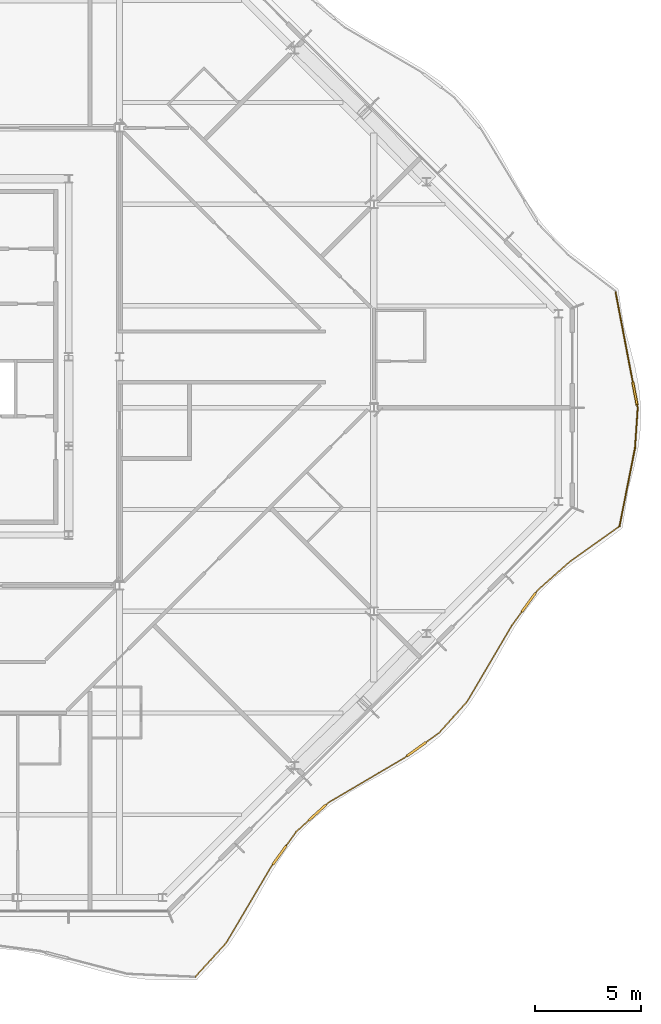
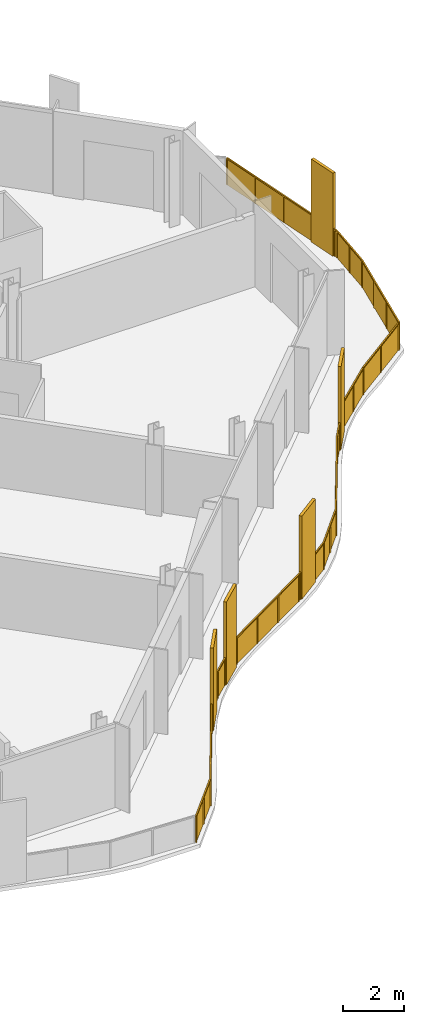
# One storey, part 15 of 17: 2 railings.
"""IFC4 building model written with IfcOpenShell, lengths in metres."""

from ifc_helpers import new_model, si_unit, direction, frame, origin, origin_2d, place, context, subcontext, project, spatial, polyline, rectangle, outline, extrude, material, type_object, element, save


model = new_model("IFC4")

# Units and contexts
model_context = context("Model", 3, precision=1e-05, world=origin(), true_north=direction((0.0, 1.0)))
body_context = subcontext(model_context, "Body", "Model", "MODEL_VIEW")
ifc_project = project(units=[si_unit("LENGTHUNIT", "METRE"), si_unit("AREAUNIT", "SQUARE_METRE"), si_unit("VOLUMEUNIT", "CUBIC_METRE"), si_unit("PLANEANGLEUNIT", "RADIAN"), si_unit("MASSUNIT", "GRAM", prefix="KILO")], contexts=[model_context])

# Site, building, storey
site_placement = place(None, origin())
site = spatial("IfcSite", under=ifc_project, at=site_placement, CompositionType="ELEMENT")
building_placement = place(site_placement, origin())
building = spatial("IfcBuilding", under=site, at=building_placement, Name="Cairn Pilgrim Tower", CompositionType="ELEMENT")
storey_placement = place(building_placement, frame((0.0, 0.0, 292.199951171875)))
storey = spatial("IfcBuildingStorey", under=building, at=storey_placement, Name="L75", CompositionType="ELEMENT", Elevation=292.199951171875)

# Railings
ifc_material = material(Name="Bronze anodised aluminium rail, posts and fin screens with laminated glass infill", Category="aluminium")
railing_type = type_object("IfcRailingType", Name="BALCONY GUARD WITH FIN SCREENS", PredefinedType="GUARDRAIL", material=ifc_material)
railing_1_placement = place(storey_placement, frame((22.775390625, -26.837890625, 0.0)))
element("IfcRailing", 1, at=railing_1_placement, inside=storey, type_object=railing_type, Name="Balcony guard BGF-2 with fin screens", PredefinedType="GUARDRAIL", context=body_context, shape_type="SweptSolid", body=[
    extrude(rectangle(XDim=0.050048828125, YDim=0.050048828125, at=origin_2d()), frame((0.0, 0.0, 1.0751953125), z_axis=(0.674178287714, 0.73856864026, 0.0), x_axis=(-0.73856864026, 0.674178287714, 0.0)), (0.0, 0.0, 1.0), 2.1611328125),
    extrude(rectangle(XDim=0.050048828125, YDim=0.050048828125, at=origin_2d()), frame((1.45703125, 1.59619140625, 1.0751953125), z_axis=(0.508098182602, 0.861299156412, 0.0), x_axis=(-0.861299156412, 0.508098182602, 0.0)), (0.0, 0.0, 1.0), 4.145263671875),
    extrude(rectangle(XDim=1.10009765625, YDim=0.110107421875, at=origin_2d()), frame((3.970703125, 5.735595703125, 0.0), z_axis=(0.0, 0.0, 1.0), x_axis=(0.582134146211, 0.813092759662, 0.0)), (0.0, 0.0, 1.0), 3.35009765625),
    extrude(rectangle(XDim=0.050048828125, YDim=0.050048828125, at=origin_2d()), frame((3.563232421875, 5.16650390625, 1.0751953125), z_axis=(0.582134146211, 0.813092759662, 0.0), x_axis=(-0.813092759662, 0.582134146211, 0.0)), (0.0, 0.0, 1.0), 0.150146484375),
    extrude(rectangle(XDim=0.050048828125, YDim=0.050048828125, at=origin_2d()), frame((4.291015625, 6.182861328125, 1.0751953125), z_axis=(0.582134146211, 0.813092759662, 0.0), x_axis=(-0.813092759662, 0.582134146211, 0.0)), (0.0, 0.0, 1.0), 0.811279296875),
    extrude(rectangle(XDim=1.10009765625, YDim=0.110107421875, at=origin_2d()), frame((5.7607421875, 7.745361328125, 0.0), z_axis=(0.0, 0.0, 1.0), x_axis=(0.741499015792, 0.670953954888, 0.0)), (0.0, 0.0, 1.0), 3.35009765625),
    extrude(rectangle(XDim=0.050048828125, YDim=0.050048828125, at=origin_2d()), frame((4.76318359375, 6.842529296875, 1.0751953125), z_axis=(0.741499015792, 0.670953954888, 0.0), x_axis=(-0.670953954888, 0.741499015792, 0.0)), (0.0, 0.0, 1.0), 0.79541015625),
    extrude(rectangle(XDim=0.050048828125, YDim=0.050048828125, at=origin_2d()), frame((6.168701171875, 8.1142578125, 1.0751953125), z_axis=(0.741499015792, 0.670953954888, 0.0), x_axis=(-0.670953954888, 0.741499015792, 0.0)), (0.0, 0.0, 1.0), 0.14990234375),
    extrude(rectangle(XDim=0.050048828125, YDim=0.050048828125, at=origin_2d()), frame((6.27978515625, 8.21484375, 1.0751953125), z_axis=(0.861787963665, 0.507268672087, 0.0), x_axis=(-0.507268672087, 0.861787963665, 0.0)), (0.0, 0.0, 1.0), 4.16357421875),
    extrude(rectangle(XDim=1.10009765625, YDim=0.110107421875, at=origin_2d()), frame((10.435546875, 10.73681640625, 0.0), z_axis=(0.0, 0.0, 1.0), x_axis=(0.810692013658, 0.585472850773, 0.0)), (0.0, 0.0, 1.0), 3.35009765625),
    extrude(rectangle(XDim=0.050048828125, YDim=0.050048828125, at=origin_2d()), frame((9.867919921875, 10.326904296875, 1.0751953125), z_axis=(0.810692013658, 0.585472850773, 0.0), x_axis=(-0.585472850773, 0.810692013658, 0.0)), (0.0, 0.0, 1.0), 0.150146484375),
    extrude(rectangle(XDim=0.050048828125, YDim=0.050048828125, at=origin_2d()), frame((10.88134765625, 11.058837890625, 1.0751953125), z_axis=(0.810692013658, 0.585472850773, 0.0), x_axis=(-0.585472850773, 0.810692013658, 0.0)), (0.0, 0.0, 1.0), 0.763916015625),
    extrude(rectangle(XDim=0.050048828125, YDim=0.050048828125, at=origin_2d()), frame((11.500732421875, 11.506103515625, 1.0751953125), z_axis=(0.667269661219, 0.744816218417, 0.0), x_axis=(-0.744816218417, 0.667269661219, 0.0)), (0.0, 0.0, 1.0), 1.9833984375),
    extrude(rectangle(XDim=0.050048828125, YDim=0.050048828125, at=origin_2d()), frame((12.82421875, 12.9833984375, 1.0751953125), z_axis=(0.506503112578, 0.862238132391, 0.0), x_axis=(-0.862238132391, 0.506503112578, 0.0)), (0.0, 0.0, 1.0), 4.148681640625),
    extrude(rectangle(XDim=1.10009765625, YDim=0.110107421875, at=origin_2d()), frame((15.72607421875, 17.659423828125, 0.0), z_axis=(0.0, 0.0, 1.0), x_axis=(0.588770626003, 0.808300160804, 0.0)), (0.0, 0.0, 1.0), 3.35009765625),
    extrude(rectangle(XDim=0.050048828125, YDim=0.050048828125, at=origin_2d()), frame((14.925537109375, 16.560546875, 1.0751953125), z_axis=(0.588770626003, 0.808300160804, 0.0), x_axis=(-0.808300160804, 0.588770626003, 0.0)), (0.0, 0.0, 1.0), 0.8095703125),
    extrude(rectangle(XDim=0.050048828125, YDim=0.050048828125, at=origin_2d()), frame((16.0498046875, 18.10400390625, 1.0751953125), z_axis=(0.588770626003, 0.808300160804, 0.0), x_axis=(-0.808300160804, 0.588770626003, 0.0)), (0.0, 0.0, 1.0), 0.150146484375),
    extrude(rectangle(XDim=0.050048828125, YDim=0.050048828125, at=origin_2d()), frame((16.13818359375, 18.225341796875, 1.0751953125), z_axis=(0.748161867885, 0.663516254091, 0.0), x_axis=(-0.663516254091, 0.748161867885, 0.0)), (0.0, 0.0, 1.0), 2.0390625),
    extrude(rectangle(XDim=0.050048828125, YDim=0.050048828125, at=origin_2d()), frame((17.663818359375, 19.578369140625, 1.0751953125), z_axis=(0.814581433137, 0.580049212386, 0.0), x_axis=(-0.580049212386, 0.814581433137, 0.0)), (0.0, 0.0, 1.0), 2.81787109375),
    extrude(rectangle(XDim=0.050048828125, YDim=0.050048828125, at=origin_2d()), origin(), (0.0, 0.0, 1.0), 1.050048828125),
    extrude(rectangle(XDim=0.050048828125, YDim=0.050048828125, at=origin_2d()), frame((0.728515625, 0.798095703125, 0.0)), (0.0, 0.0, 1.0), 1.050048828125),
    extrude(rectangle(XDim=0.050048828125, YDim=0.050048828125, at=origin_2d()), frame((1.45703125, 1.59619140625, 0.0)), (0.0, 0.0, 1.0), 1.050048828125),
    extrude(rectangle(XDim=0.050048828125, YDim=0.050048828125, at=origin_2d()), frame((2.1591796875, 2.786376953125, 0.0)), (0.0, 0.0, 1.0), 1.050048828125),
    extrude(rectangle(XDim=0.050048828125, YDim=0.050048828125, at=origin_2d()), frame((2.861083984375, 3.976318359375, 0.0)), (0.0, 0.0, 1.0), 1.050048828125),
    extrude(rectangle(XDim=0.050048828125, YDim=0.050048828125, at=origin_2d()), frame((3.563232421875, 5.16650390625, 0.0)), (0.0, 0.0, 1.0), 1.050048828125),
    extrude(rectangle(XDim=0.050048828125, YDim=0.050048828125, at=origin_2d()), frame((3.635986328125, 5.26806640625, 0.0)), (0.0, 0.0, 1.0), 1.050048828125),
    extrude(rectangle(XDim=0.050048828125, YDim=0.050048828125, at=origin_2d()), frame((4.305419921875, 6.203369140625, 0.0)), (0.0, 0.0, 1.0), 1.050048828125),
    extrude(rectangle(XDim=0.050048828125, YDim=0.050048828125, at=origin_2d()), frame((4.76318359375, 6.842529296875, 0.0)), (0.0, 0.0, 1.0), 1.050048828125),
    extrude(rectangle(XDim=0.050048828125, YDim=0.050048828125, at=origin_2d()), frame((5.33447265625, 7.359375, 0.0)), (0.0, 0.0, 1.0), 1.050048828125),
    extrude(rectangle(XDim=0.050048828125, YDim=0.050048828125, at=origin_2d()), frame((6.187255859375, 8.131103515625, 0.0)), (0.0, 0.0, 1.0), 1.050048828125),
    extrude(rectangle(XDim=0.050048828125, YDim=0.050048828125, at=origin_2d()), frame((6.27978515625, 8.21484375, 0.0)), (0.0, 0.0, 1.0), 1.050048828125),
    extrude(rectangle(XDim=0.050048828125, YDim=0.050048828125, at=origin_2d()), frame((7.475830078125, 8.9189453125, 0.0)), (0.0, 0.0, 1.0), 1.050048828125),
    extrude(rectangle(XDim=0.050048828125, YDim=0.050048828125, at=origin_2d()), frame((8.671875, 9.622802734375, 0.0)), (0.0, 0.0, 1.0), 1.050048828125),
    extrude(rectangle(XDim=0.050048828125, YDim=0.050048828125, at=origin_2d()), frame((9.867919921875, 10.326904296875, 0.0)), (0.0, 0.0, 1.0), 1.050048828125),
    extrude(rectangle(XDim=0.050048828125, YDim=0.050048828125, at=origin_2d()), frame((9.96923828125, 10.400146484375, 0.0)), (0.0, 0.0, 1.0), 1.050048828125),
    extrude(rectangle(XDim=0.050048828125, YDim=0.050048828125, at=origin_2d()), frame((10.901611328125, 11.073486328125, 0.0)), (0.0, 0.0, 1.0), 1.050048828125),
    extrude(rectangle(XDim=0.050048828125, YDim=0.050048828125, at=origin_2d()), frame((11.500732421875, 11.506103515625, 0.0)), (0.0, 0.0, 1.0), 1.050048828125),
    extrude(rectangle(XDim=0.050048828125, YDim=0.050048828125, at=origin_2d()), frame((12.16259765625, 12.24462890625, 0.0)), (0.0, 0.0, 1.0), 1.050048828125),
    extrude(rectangle(XDim=0.050048828125, YDim=0.050048828125, at=origin_2d()), frame((12.82421875, 12.9833984375, 0.0)), (0.0, 0.0, 1.0), 1.050048828125),
    extrude(rectangle(XDim=0.050048828125, YDim=0.050048828125, at=origin_2d()), frame((13.524658203125, 14.17578125, 0.0)), (0.0, 0.0, 1.0), 1.050048828125),
    extrude(rectangle(XDim=0.050048828125, YDim=0.050048828125, at=origin_2d()), frame((14.22509765625, 15.3681640625, 0.0)), (0.0, 0.0, 1.0), 1.050048828125),
    extrude(rectangle(XDim=0.050048828125, YDim=0.050048828125, at=origin_2d()), frame((14.925537109375, 16.560546875, 0.0)), (0.0, 0.0, 1.0), 1.050048828125),
    extrude(rectangle(XDim=0.050048828125, YDim=0.050048828125, at=origin_2d()), frame((15.387451171875, 17.194580078125, 0.0)), (0.0, 0.0, 1.0), 1.050048828125),
    extrude(rectangle(XDim=0.050048828125, YDim=0.050048828125, at=origin_2d()), frame((16.064453125, 18.124267578125, 0.0)), (0.0, 0.0, 1.0), 1.050048828125),
    extrude(rectangle(XDim=0.050048828125, YDim=0.050048828125, at=origin_2d()), frame((16.13818359375, 18.225341796875, 0.0)), (0.0, 0.0, 1.0), 1.050048828125),
    extrude(rectangle(XDim=0.050048828125, YDim=0.050048828125, at=origin_2d()), frame((16.90087890625, 18.90185546875, 0.0)), (0.0, 0.0, 1.0), 1.050048828125),
    extrude(rectangle(XDim=0.050048828125, YDim=0.050048828125, at=origin_2d()), frame((17.663818359375, 19.578369140625, 0.0)), (0.0, 0.0, 1.0), 1.050048828125),
    extrude(rectangle(XDim=0.050048828125, YDim=0.050048828125, at=origin_2d()), frame((18.8115234375, 20.3955078125, 0.0)), (0.0, 0.0, 1.0), 1.050048828125),
    extrude(rectangle(XDim=0.050048828125, YDim=0.050048828125, at=origin_2d()), frame((19.959228515625, 21.212890625, 0.0)), (0.0, 0.0, 1.0), 1.050048828125),
    extrude(outline(polyline([(0.02490234375, 0.0), (1.0556640625, 0.0), (1.0556640625, 1.050048828125), (0.02490234375, 1.050048828125), (0.02490234375, 0.0)])), frame((-0.00439453125, 0.004150390625, 0.0), z_axis=(0.73856864026, -0.674178287714, 0.0), x_axis=(0.674178287714, 0.73856864026, 0.0)), (0.0, 0.0, 1.0), 0.011962890625),
    extrude(outline(polyline([(0.02490234375, 0.0), (1.0556640625, 0.0), (1.0556640625, 1.050048828125), (0.02490234375, 1.050048828125), (0.02490234375, 0.0)])), frame((0.72412109375, 0.80224609375, 0.0), z_axis=(0.73856864026, -0.674178287714, 0.0), x_axis=(0.674178287714, 0.73856864026, 0.0)), (0.0, 0.0, 1.0), 0.011962890625),
    extrude(outline(polyline([(0.02490234375, 0.0), (1.356689453125, 0.0), (1.356689453125, 1.050048828125), (0.02490234375, 1.050048828125), (0.02490234375, 0.0)])), frame((1.451904296875, 1.59912109375, 0.0), z_axis=(0.861299156412, -0.508098182602, 0.0), x_axis=(0.508098182602, 0.861299156412, 0.0)), (0.0, 0.0, 1.0), 0.011962890625),
    extrude(outline(polyline([(0.02490234375, 0.0), (1.356689453125, 0.0), (1.356689453125, 1.050048828125), (0.02490234375, 1.050048828125), (0.02490234375, 0.0)])), frame((2.154052734375, 2.789306640625, 0.0), z_axis=(0.861299156412, -0.508098182602, 0.0), x_axis=(0.508098182602, 0.861299156412, 0.0)), (0.0, 0.0, 1.0), 0.011962890625),
    extrude(outline(polyline([(0.02490234375, 0.0), (1.356689453125, 0.0), (1.356689453125, 1.050048828125), (0.02490234375, 1.050048828125), (0.02490234375, 0.0)])), frame((2.85595703125, 3.9794921875, 0.0), z_axis=(0.861299156412, -0.508098182602, 0.0), x_axis=(0.508098182602, 0.861299156412, 0.0)), (0.0, 0.0, 1.0), 0.011962890625),
    extrude(outline(polyline([(0.02490234375, 0.0), (0.10009765625, 0.0), (0.10009765625, 1.050048828125), (0.02490234375, 1.050048828125), (0.02490234375, 0.0)])), frame((3.558349609375, 5.169921875, 0.0), z_axis=(0.813092759662, -0.582134146211, 0.0), x_axis=(0.582134146211, 0.813092759662, 0.0)), (0.0, 0.0, 1.0), 0.011962890625),
    extrude(outline(polyline([(0.02490234375, 0.0), (0.76123046875, 0.0), (0.76123046875, 1.050048828125), (0.02490234375, 1.050048828125), (0.02490234375, 0.0)])), frame((4.300537109375, 6.206787109375, 0.0), z_axis=(0.813092759662, -0.582134146211, 0.0), x_axis=(0.582134146211, 0.813092759662, 0.0)), (0.0, 0.0, 1.0), 0.011962890625),
    extrude(outline(polyline([(0.02490234375, 0.0), (0.745361328125, 0.0), (0.745361328125, 1.050048828125), (0.02490234375, 1.050048828125), (0.02490234375, 0.0)])), frame((4.75927734375, 6.846923828125, 0.0), z_axis=(0.670953954888, -0.741499015792, 0.0), x_axis=(0.741499015792, 0.670953954888, 0.0)), (0.0, 0.0, 1.0), 0.011962890625),
    extrude(outline(polyline([(0.02490234375, 0.0), (0.099853515625, 0.0), (0.099853515625, 1.050048828125), (0.02490234375, 1.050048828125), (0.02490234375, 0.0)])), frame((6.18310546875, 8.135498046875, 0.0), z_axis=(0.670953954888, -0.741499015792, 0.0), x_axis=(0.741499015792, 0.670953954888, 0.0)), (0.0, 0.0, 1.0), 0.011962890625),
    extrude(outline(polyline([(0.02490234375, 0.0), (1.36279296875, 0.0), (1.36279296875, 1.050048828125), (0.02490234375, 1.050048828125), (0.02490234375, 0.0)])), frame((6.27685546875, 8.219970703125, 0.0), z_axis=(0.507268672087, -0.861787963665, 0.0), x_axis=(0.861787963665, 0.507268672087, 0.0)), (0.0, 0.0, 1.0), 0.011962890625),
    extrude(outline(polyline([(0.02490234375, 0.0), (1.36279296875, 0.0), (1.36279296875, 1.050048828125), (0.02490234375, 1.050048828125), (0.02490234375, 0.0)])), frame((7.472900390625, 8.924072265625, 0.0), z_axis=(0.507268672087, -0.861787963665, 0.0), x_axis=(0.861787963665, 0.507268672087, 0.0)), (0.0, 0.0, 1.0), 0.011962890625),
    extrude(outline(polyline([(0.02490234375, 0.0), (1.36279296875, 0.0), (1.36279296875, 1.050048828125), (0.02490234375, 1.050048828125), (0.02490234375, 0.0)])), frame((8.6689453125, 9.6279296875, 0.0), z_axis=(0.507268672087, -0.861787963665, 0.0), x_axis=(0.861787963665, 0.507268672087, 0.0)), (0.0, 0.0, 1.0), 0.011962890625),
    extrude(outline(polyline([(0.02490234375, 0.0), (0.10009765625, 0.0), (0.10009765625, 1.050048828125), (0.02490234375, 1.050048828125), (0.02490234375, 0.0)])), frame((9.864501953125, 10.331787109375, 0.0), z_axis=(0.585472850773, -0.810692013658, 0.0), x_axis=(0.810692013658, 0.585472850773, 0.0)), (0.0, 0.0, 1.0), 0.011962890625),
    extrude(outline(polyline([(0.02490234375, 0.0), (0.7138671875, 0.0), (0.7138671875, 1.050048828125), (0.02490234375, 1.050048828125), (0.02490234375, 0.0)])), frame((10.898193359375, 11.078369140625, 0.0), z_axis=(0.585472850773, -0.810692013658, 0.0), x_axis=(0.810692013658, 0.585472850773, 0.0)), (0.0, 0.0, 1.0), 0.011962890625),
    extrude(outline(polyline([(0.02490234375, 0.0), (0.966796875, 0.0), (0.966796875, 1.050048828125), (0.02490234375, 1.050048828125), (0.02490234375, 0.0)])), frame((11.496337890625, 11.510009765625, 0.0), z_axis=(0.744816218417, -0.667269661219, 0.0), x_axis=(0.667269661219, 0.744816218417, 0.0)), (0.0, 0.0, 1.0), 0.011962890625),
    extrude(outline(polyline([(0.02490234375, 0.0), (0.966796875, 0.0), (0.966796875, 1.050048828125), (0.02490234375, 1.050048828125), (0.02490234375, 0.0)])), frame((12.157958984375, 12.248779296875, 0.0), z_axis=(0.744816218417, -0.667269661219, 0.0), x_axis=(0.667269661219, 0.744816218417, 0.0)), (0.0, 0.0, 1.0), 0.011962890625),
    extrude(outline(polyline([(0.02490234375, 0.0), (1.35791015625, 0.0), (1.35791015625, 1.050048828125), (0.02490234375, 1.050048828125), (0.02490234375, 0.0)])), frame((12.819091796875, 12.986328125, 0.0), z_axis=(0.862238132391, -0.506503112578, 0.0), x_axis=(0.506503112578, 0.862238132391, 0.0)), (0.0, 0.0, 1.0), 0.011962890625),
    extrude(outline(polyline([(0.02490234375, 0.0), (1.35791015625, 0.0), (1.35791015625, 1.050048828125), (0.02490234375, 1.050048828125), (0.02490234375, 0.0)])), frame((13.51953125, 14.1787109375, 0.0), z_axis=(0.862238132391, -0.506503112578, 0.0), x_axis=(0.506503112578, 0.862238132391, 0.0)), (0.0, 0.0, 1.0), 0.011962890625),
    extrude(outline(polyline([(0.02490234375, 0.0), (1.35791015625, 0.0), (1.35791015625, 1.050048828125), (0.02490234375, 1.050048828125), (0.02490234375, 0.0)])), frame((14.219970703125, 15.37109375, 0.0), z_axis=(0.862238132391, -0.506503112578, 0.0), x_axis=(0.506503112578, 0.862238132391, 0.0)), (0.0, 0.0, 1.0), 0.011962890625),
    extrude(outline(polyline([(0.02490234375, 0.0), (0.759521484375, 0.0), (0.759521484375, 1.050048828125), (0.02490234375, 1.050048828125), (0.02490234375, 0.0)])), frame((14.920654296875, 16.56396484375, 0.0), z_axis=(0.808300160804, -0.588770626003, 0.0), x_axis=(0.588770626003, 0.808300160804, 0.0)), (0.0, 0.0, 1.0), 0.011962890625),
    extrude(outline(polyline([(0.02490234375, 0.0), (0.10009765625, 0.0), (0.10009765625, 1.050048828125), (0.02490234375, 1.050048828125), (0.02490234375, 0.0)])), frame((16.059814453125, 18.127685546875, 0.0), z_axis=(0.808300160804, -0.588770626003, 0.0), x_axis=(0.588770626003, 0.808300160804, 0.0)), (0.0, 0.0, 1.0), 0.011962890625),
    extrude(outline(polyline([(0.02490234375, 0.0), (0.99462890625, 0.0), (0.99462890625, 1.050048828125), (0.02490234375, 1.050048828125), (0.02490234375, 0.0)])), frame((16.13427734375, 18.229736328125, 0.0), z_axis=(0.663516254091, -0.748161867885, 0.0), x_axis=(0.748161867885, 0.663516254091, 0.0)), (0.0, 0.0, 1.0), 0.011962890625),
    extrude(outline(polyline([(0.02490234375, 0.0), (0.99462890625, 0.0), (0.99462890625, 1.050048828125), (0.02490234375, 1.050048828125), (0.02490234375, 0.0)])), frame((16.89697265625, 18.90625, 0.0), z_axis=(0.663516254091, -0.748161867885, 0.0), x_axis=(0.748161867885, 0.663516254091, 0.0)), (0.0, 0.0, 1.0), 0.011962890625),
    extrude(outline(polyline([(0.02490234375, 0.0), (1.384033203125, 0.0), (1.384033203125, 1.050048828125), (0.02490234375, 1.050048828125), (0.02490234375, 0.0)])), frame((17.660400390625, 19.583251953125, 0.0), z_axis=(0.580049212386, -0.814581433137, 0.0), x_axis=(0.814581433137, 0.580049212386, 0.0)), (0.0, 0.0, 1.0), 0.011962890625),
    extrude(outline(polyline([(0.02490234375, 0.0), (1.384033203125, 0.0), (1.384033203125, 1.050048828125), (0.02490234375, 1.050048828125), (0.02490234375, 0.0)])), frame((18.80810546875, 20.400390625, 0.0), z_axis=(0.580049212386, -0.814581433137, 0.0), x_axis=(0.814581433137, 0.580049212386, 0.0)), (0.0, 0.0, 1.0), 0.011962890625),
])
railing_2_placement = place(storey_placement, frame((42.783447265625, -5.590087890625, 0.0)))
element("IfcRailing", 2, at=railing_2_placement, inside=storey, type_object=railing_type, Name="Balcony guard BGF-3 with fin screens", PredefinedType="GUARDRAIL", context=body_context, shape_type="SweptSolid", body=[
    extrude(rectangle(XDim=0.050048828125, YDim=0.050048828125, at=origin_2d()), frame((0.0, 0.0, 1.0751953125), z_axis=(0.194081032709, 0.980985500781, 0.0), x_axis=(-0.980985500781, 0.194081032709, 0.0)), (0.0, 0.0, 1.0), 3.76123046875),
    extrude(rectangle(XDim=0.050048828125, YDim=0.050048828125, at=origin_2d()), frame((0.72998046875, 3.689697265625, 1.0751953125), z_axis=(0.067749990376, 0.997702329758, 0.0), x_axis=(-0.997702329758, 0.067749990376, 0.0)), (0.0, 0.0, 1.0), 1.8955078125),
    extrude(rectangle(XDim=1.10009765625, YDim=0.110107421875, at=origin_2d()), frame((0.726806640625, 6.2685546875, 0.0), z_axis=(0.0, 0.0, 1.0), x_axis=(-0.187945221298, 0.982179511999, 0.0)), (0.0, 0.0, 1.0), 3.35009765625),
    extrude(rectangle(XDim=0.050048828125, YDim=0.050048828125, at=origin_2d()), frame((0.8583984375, 5.580810546875, 1.0751953125), z_axis=(-0.187945221298, 0.982179511999, 0.0), x_axis=(-0.982179511999, -0.187945221298, 0.0)), (0.0, 0.0, 1.0), 0.150146484375),
    extrude(rectangle(XDim=0.050048828125, YDim=0.050048828125, at=origin_2d()), frame((0.62353515625, 6.80859375, 1.0751953125), z_axis=(-0.187945221298, 0.982179511999, 0.0), x_axis=(-0.982179511999, -0.187945221298, 0.0)), (0.0, 0.0, 1.0), 4.310791015625),
    extrude(rectangle(XDim=0.050048828125, YDim=0.050048828125, at=origin_2d()), origin(), (0.0, 0.0, 1.0), 1.050048828125),
    extrude(rectangle(XDim=0.050048828125, YDim=0.050048828125, at=origin_2d()), frame((0.243408203125, 1.22998046875, 0.0)), (0.0, 0.0, 1.0), 1.050048828125),
    extrude(rectangle(XDim=0.050048828125, YDim=0.050048828125, at=origin_2d()), frame((0.486572265625, 2.459716796875, 0.0)), (0.0, 0.0, 1.0), 1.050048828125),
    extrude(rectangle(XDim=0.050048828125, YDim=0.050048828125, at=origin_2d()), frame((0.72998046875, 3.689697265625, 0.0)), (0.0, 0.0, 1.0), 1.050048828125),
    extrude(rectangle(XDim=0.050048828125, YDim=0.050048828125, at=origin_2d()), frame((0.794189453125, 4.63525390625, 0.0)), (0.0, 0.0, 1.0), 1.050048828125),
    extrude(rectangle(XDim=0.050048828125, YDim=0.050048828125, at=origin_2d()), frame((0.8583984375, 5.580810546875, 0.0)), (0.0, 0.0, 1.0), 1.050048828125),
    extrude(rectangle(XDim=0.050048828125, YDim=0.050048828125, at=origin_2d()), frame((0.8349609375, 5.70361328125, 0.0)), (0.0, 0.0, 1.0), 1.050048828125),
    extrude(rectangle(XDim=0.050048828125, YDim=0.050048828125, at=origin_2d()), frame((0.61865234375, 6.833251953125, 0.0)), (0.0, 0.0, 1.0), 1.050048828125),
    extrude(rectangle(XDim=0.050048828125, YDim=0.050048828125, at=origin_2d()), frame((0.350341796875, 8.236328125, 0.0)), (0.0, 0.0, 1.0), 1.050048828125),
    extrude(rectangle(XDim=0.050048828125, YDim=0.050048828125, at=origin_2d()), frame((0.081787109375, 9.6396484375, 0.0)), (0.0, 0.0, 1.0), 1.050048828125),
    extrude(rectangle(XDim=0.050048828125, YDim=0.050048828125, at=origin_2d()), frame((-0.186767578125, 11.042724609375, 0.0)), (0.0, 0.0, 1.0), 1.050048828125),
    extrude(outline(polyline([(0.02490234375, 0.0), (1.228759765625, 0.0), (1.228759765625, 1.050048828125), (0.02490234375, 1.050048828125), (0.02490234375, 0.0)])), frame((-0.005859375, 0.001220703125, 0.0), z_axis=(0.980985500781, -0.194081032709, 0.0), x_axis=(0.194081032709, 0.980985500781, 0.0)), (0.0, 0.0, 1.0), 0.011962890625),
    extrude(outline(polyline([(0.02490234375, 0.0), (1.228759765625, 0.0), (1.228759765625, 1.050048828125), (0.02490234375, 1.050048828125), (0.02490234375, 0.0)])), frame((0.237548828125, 1.23095703125, 0.0), z_axis=(0.980985500781, -0.194081032709, 0.0), x_axis=(0.194081032709, 0.980985500781, 0.0)), (0.0, 0.0, 1.0), 0.011962890625),
    extrude(outline(polyline([(0.02490234375, 0.0), (1.228759765625, 0.0), (1.228759765625, 1.050048828125), (0.02490234375, 1.050048828125), (0.02490234375, 0.0)])), frame((0.480712890625, 2.4609375, 0.0), z_axis=(0.980985500781, -0.194081032709, 0.0), x_axis=(0.194081032709, 0.980985500781, 0.0)), (0.0, 0.0, 1.0), 0.011962890625),
    extrude(outline(polyline([(0.02490234375, 0.0), (0.922607421875, 0.0), (0.922607421875, 1.050048828125), (0.02490234375, 1.050048828125), (0.02490234375, 0.0)])), frame((0.72412109375, 3.690185546875, 0.0), z_axis=(0.997702329758, -0.067749990376, 0.0), x_axis=(0.067749990376, 0.997702329758, 0.0)), (0.0, 0.0, 1.0), 0.011962890625),
    extrude(outline(polyline([(0.02490234375, 0.0), (0.922607421875, 0.0), (0.922607421875, 1.050048828125), (0.02490234375, 1.050048828125), (0.02490234375, 0.0)])), frame((0.788330078125, 4.6357421875, 0.0), z_axis=(0.997702329758, -0.067749990376, 0.0), x_axis=(0.067749990376, 0.997702329758, 0.0)), (0.0, 0.0, 1.0), 0.011962890625),
    extrude(outline(polyline([(0.02490234375, 0.0), (0.10009765625, 0.0), (0.10009765625, 1.050048828125), (0.02490234375, 1.050048828125), (0.02490234375, 0.0)])), frame((0.8525390625, 5.57958984375, 0.0), z_axis=(0.982179511999, 0.187945221298, 0.0), x_axis=(-0.187945221298, 0.982179511999, 0.0)), (0.0, 0.0, 1.0), 0.011962890625),
    extrude(outline(polyline([(0.02490234375, 0.0), (1.403564453125, 0.0), (1.403564453125, 1.050048828125), (0.02490234375, 1.050048828125), (0.02490234375, 0.0)])), frame((0.61279296875, 6.83203125, 0.0), z_axis=(0.982179511999, 0.187945221298, 0.0), x_axis=(-0.187945221298, 0.982179511999, 0.0)), (0.0, 0.0, 1.0), 0.011962890625),
    extrude(outline(polyline([(0.02490234375, 0.0), (1.403564453125, 0.0), (1.403564453125, 1.050048828125), (0.02490234375, 1.050048828125), (0.02490234375, 0.0)])), frame((0.344482421875, 8.2353515625, 0.0), z_axis=(0.982179511999, 0.187945221298, 0.0), x_axis=(-0.187945221298, 0.982179511999, 0.0)), (0.0, 0.0, 1.0), 0.011962890625),
    extrude(outline(polyline([(0.02490234375, 0.0), (1.403564453125, 0.0), (1.403564453125, 1.050048828125), (0.02490234375, 1.050048828125), (0.02490234375, 0.0)])), frame((0.075927734375, 9.638427734375, 0.0), z_axis=(0.982179511999, 0.187945221298, 0.0), x_axis=(-0.187945221298, 0.982179511999, 0.0)), (0.0, 0.0, 1.0), 0.011962890625),
])

save(model, "model.ifc")
